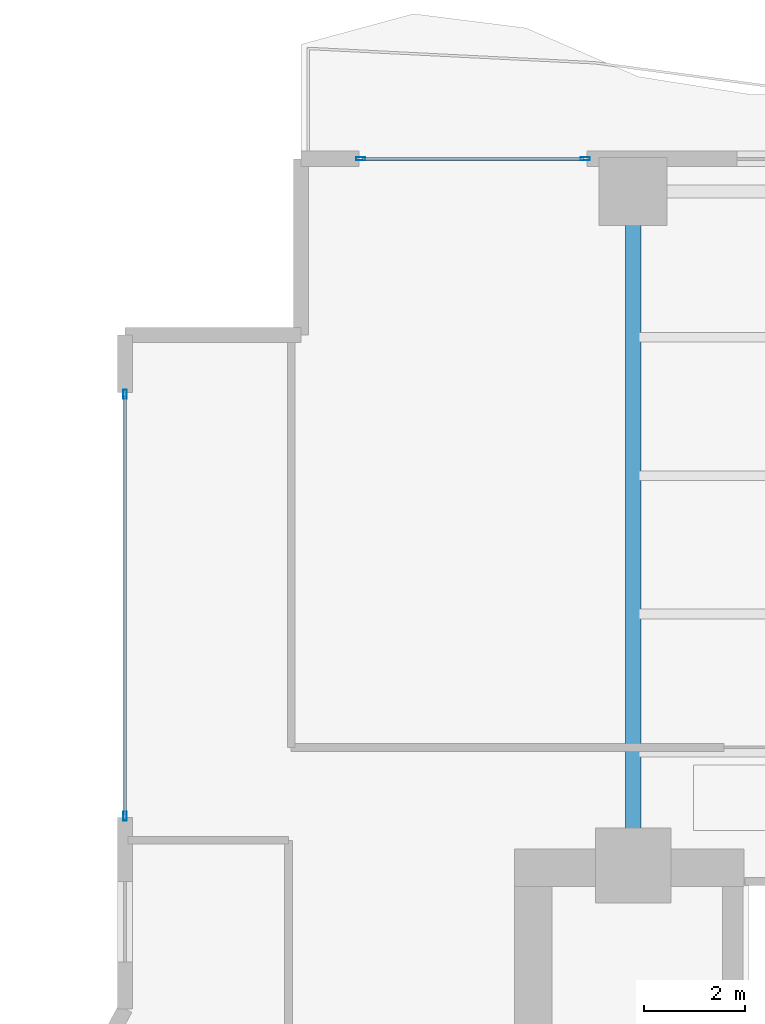
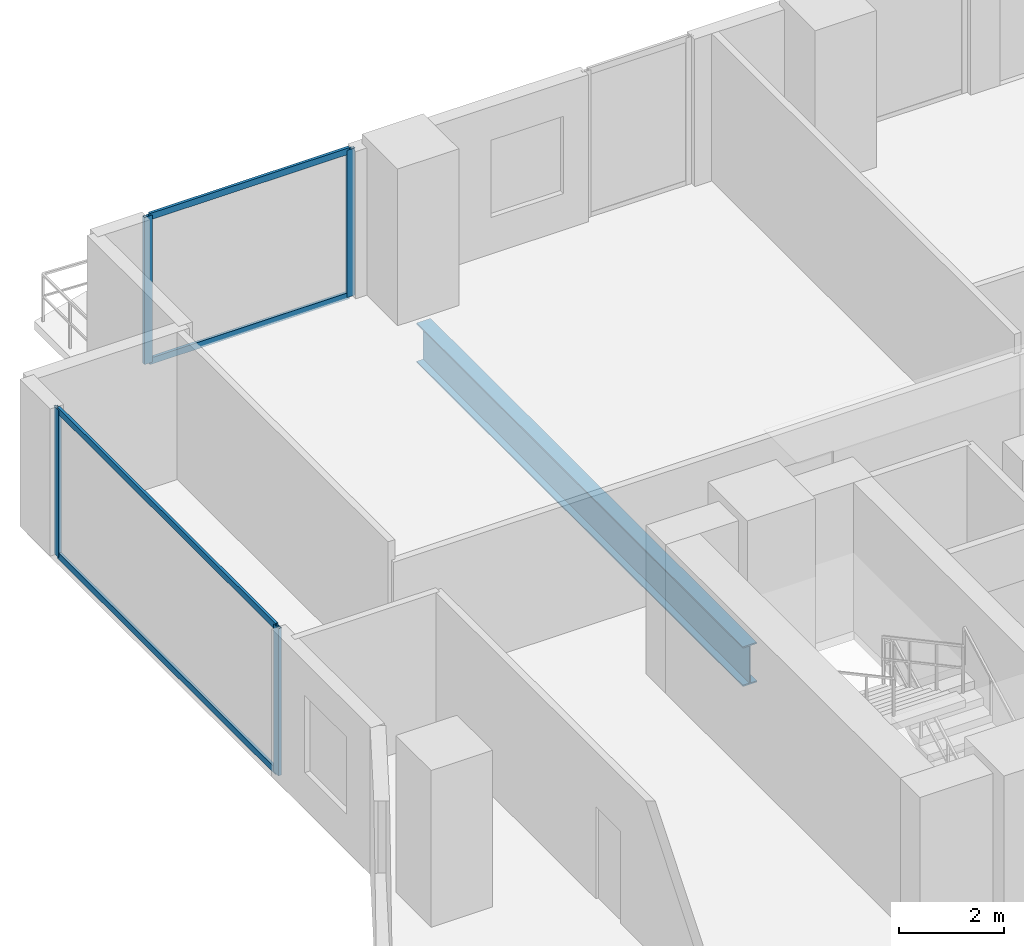
# One storey, part 14 of 28: 8 members, 1 beam, 2 elements without a shape of their own.
"""IFC4 building model written with IfcOpenShell, lengths in metres."""

from ifc_helpers import new_model, si_unit, direction, frame, origin, origin_2d, place, context, subcontext, project, spatial, hollow_rectangle, i_section, extrude, material, layer, layer_set, material_profile, profile_set, type_object, element, aggregate, save


model = new_model("IFC4")

# Units and contexts
model_context = context("Model", 3, precision=1e-05, world=origin(), true_north=direction((0.0, 1.0)))
body_context = subcontext(model_context, "Body", "Model", "MODEL_VIEW")
ifc_project = project(units=[si_unit("LENGTHUNIT", "METRE"), si_unit("AREAUNIT", "SQUARE_METRE"), si_unit("VOLUMEUNIT", "CUBIC_METRE"), si_unit("PLANEANGLEUNIT", "RADIAN"), si_unit("MASSUNIT", "GRAM", prefix="KILO")], contexts=[model_context])

# Site, building, storey
site_placement = place(None, origin())
site = spatial("IfcSite", under=ifc_project, at=site_placement, CompositionType="ELEMENT")
building_placement = place(site_placement, origin())
building = spatial("IfcBuilding", under=site, at=building_placement, Name="Zuhayl Quay Hotel", CompositionType="ELEMENT")
storey_placement = place(building_placement, frame((0.0, 0.0, 139.449951171875)))
storey = spatial("IfcBuildingStorey", under=building, at=storey_placement, Name="L35", CompositionType="ELEMENT", Elevation=139.449951171875)

# Beam
ifc_material_1 = material(Name="Steel ASTM A992 Grade 50", Category="steel")
ifc_material_profile_1 = material_profile(ifc_material_1, i_section(OverallWidth=0.306884765625, OverallDepth=0.927001953125, WebThickness=0.019287109375, FlangeThickness=0.031982421875, at=origin_2d()), Name="W36X194")
ifc_profile_set_1 = profile_set([ifc_material_profile_1], Name="Steel ASTM A992 Grade 50")
beam_type = type_object("IfcBeamType", Name="BM_PG2_W36X194", PredefinedType="BEAM", material=ifc_profile_set_1)
beam_placement = place(storey_placement, frame((-13.800048828125, 14.800048828125, -0.683349609375), z_axis=(0.0, 1.0, 0.0), x_axis=(-1.0, 0.0, 0.0)))
element("IfcBeam", 1, at=beam_placement, inside=storey, type_object=beam_type, Name="L35 Floor Beam FG_N_L35_1", PredefinedType="BEAM", context=body_context, shape_type="SweptSolid", body=[
    extrude(i_section(OverallWidth=0.306884765625, OverallDepth=0.927001953125, WebThickness=0.019287109375, FlangeThickness=0.031982421875, at=origin_2d()), origin(), (0.0, 0.0, 1.0), 12.449951171875),
])

# Curtain wall, members
ifc_material_2 = material(Name="Anodised Aluminium 6063-T6", Category="aluminium")
ifc_layer = layer(ifc_material_2, 0.179931640625, Name="Anodised Aluminium 6063-T6", Category="aluminium")
ifc_layer_set = layer_set([ifc_layer], Name="Anodised Aluminium 6063-T6")
curtain_wall_type = type_object("IfcCurtainWallType", Name="CW_SYS_Z2", PredefinedType="USERDEFINED", material=ifc_layer_set)
curtain_wall_1_placement = place(storey_placement, origin())
curtain_wall_1 = element("IfcCurtainWall", 2, at=curtain_wall_1_placement, inside=storey, type_object=curtain_wall_type, Name="L35 Curtain Wall ENV_L35_E05_CW1", ObjectType="UNITISED CURTAIN WALL", PredefinedType="USERDEFINED")
ifc_material_3 = material(Name="Black-anodised aluminium 6063-T6", Category="aluminium")
ifc_material_profile_2 = material_profile(ifc_material_3, hollow_rectangle(XDim=0.06494140625, YDim=0.179931640625, WallThickness=0.00341796875, at=origin_2d()), Name="ALU180X65")
ifc_profile_set_2 = profile_set([ifc_material_profile_2], Name="Black-anodised aluminium 6063-T6")
member_type_1 = type_object("IfcMemberType", Name="MB_CW_MUL_180", PredefinedType="MULLION", material=ifc_profile_set_2)
member_1_placement = place(storey_placement, frame((-23.89990234375, 15.33251953125, 0.0), z_axis=(0.0, 0.0, 1.0), x_axis=(-1.0, 0.0, 0.0)))
member_1 = element("IfcMember", 3, at=member_1_placement, type_object=member_type_1, Name="CW-Z2 mullion 1", PredefinedType="MULLION", context=body_context, shape_type="SweptSolid", body=[
    extrude(hollow_rectangle(XDim=0.06494140625, YDim=0.179931640625, WallThickness=0.00341796875, at=origin_2d()), origin(), (0.0, 0.0, 1.0), 3.429931640625),
])
member_2_placement = place(storey_placement, frame((-23.89990234375, 23.717529296875, 0.0), z_axis=(0.0, 0.0, 1.0), x_axis=(-1.0, 0.0, 0.0)))
member_2 = element("IfcMember", 4, at=member_2_placement, type_object=member_type_1, Name="CW-Z2 mullion 2", PredefinedType="MULLION", context=body_context, shape_type="SweptSolid", body=[
    extrude(hollow_rectangle(XDim=0.06494140625, YDim=0.179931640625, WallThickness=0.00341796875, at=origin_2d()), origin(), (0.0, 0.0, 1.0), 3.429931640625),
])

curtain_wall_2_placement = place(storey_placement, origin())
curtain_wall_2 = element("IfcCurtainWall", 5, at=curtain_wall_2_placement, inside=storey, type_object=curtain_wall_type, Name="L35 Curtain Wall ENV_L35_N_CW1", ObjectType="UNITISED CURTAIN WALL", PredefinedType="USERDEFINED")
member_3_placement = place(storey_placement, frame((-19.217529296875, 28.39990234375, 0.0), z_axis=(0.0, 0.0, 1.0), x_axis=(0.0, 1.0, 0.0)))
member_3 = element("IfcMember", 6, at=member_3_placement, type_object=member_type_1, Name="CW-Z2 mullion 1", PredefinedType="MULLION", context=body_context, shape_type="SweptSolid", body=[
    extrude(hollow_rectangle(XDim=0.06494140625, YDim=0.179931640625, WallThickness=0.00341796875, at=origin_2d()), origin(), (0.0, 0.0, 1.0), 3.429931640625),
])
member_4_placement = place(storey_placement, frame((-14.75244140625, 28.39990234375, 0.0), z_axis=(0.0, 0.0, 1.0), x_axis=(0.0, 1.0, 0.0)))
member_4 = element("IfcMember", 7, at=member_4_placement, type_object=member_type_1, Name="CW-Z2 mullion 2", PredefinedType="MULLION", context=body_context, shape_type="SweptSolid", body=[
    extrude(hollow_rectangle(XDim=0.06494140625, YDim=0.179931640625, WallThickness=0.00341796875, at=origin_2d()), origin(), (0.0, 0.0, 1.0), 3.429931640625),
])

# Member
ifc_material_profile_3 = material_profile(ifc_material_3, hollow_rectangle(XDim=0.06005859375, YDim=0.14990234375, WallThickness=0.00341796875, at=origin_2d()), Name="ALU150X60")
ifc_profile_set_3 = profile_set([ifc_material_profile_3], Name="Black-anodised aluminium 6063-T6")
member_type_2 = type_object("IfcMemberType", Name="MB_CW_TRN_150", PredefinedType="USERDEFINED", material=ifc_profile_set_3)
member_5_placement = place(storey_placement, frame((-23.89990234375, 15.364990234375, 0.030029296875), z_axis=(0.0, 1.0, 0.0), x_axis=(-1.0, 0.0, 0.0)))
member_5 = element("IfcMember", 8, at=member_5_placement, type_object=member_type_2, Name="CW-Z2 transom 1.1", ObjectType="TRANSOM", PredefinedType="USERDEFINED", context=body_context, shape_type="SweptSolid", body=[
    extrude(hollow_rectangle(XDim=0.06005859375, YDim=0.14990234375, WallThickness=0.00341796875, at=origin_2d()), origin(), (0.0, 0.0, 1.0), 8.320068359375),
])

member_6_placement = place(storey_placement, frame((-23.89990234375, 15.364990234375, 3.400146484375), z_axis=(0.0, 1.0, 0.0), x_axis=(-1.0, 0.0, 0.0)))
member_6 = element("IfcMember", 9, at=member_6_placement, type_object=member_type_2, Name="CW-Z2 transom 1.2", ObjectType="TRANSOM", PredefinedType="USERDEFINED", context=body_context, shape_type="SweptSolid", body=[
    extrude(hollow_rectangle(XDim=0.06005859375, YDim=0.14990234375, WallThickness=0.00341796875, at=origin_2d()), origin(), (0.0, 0.0, 1.0), 8.320068359375),
])

aggregate(curtain_wall_1, [member_1, member_2, member_5, member_6])

member_7_placement = place(storey_placement, frame((-19.18505859375, 28.39990234375, 0.030029296875), z_axis=(1.0, 0.0, 0.0), x_axis=(0.0, 1.0, 0.0)))
member_7 = element("IfcMember", 10, at=member_7_placement, type_object=member_type_2, Name="CW-Z2 transom 1.1", ObjectType="TRANSOM", PredefinedType="USERDEFINED", context=body_context, shape_type="SweptSolid", body=[
    extrude(hollow_rectangle(XDim=0.06005859375, YDim=0.14990234375, WallThickness=0.00341796875, at=origin_2d()), origin(), (0.0, 0.0, 1.0), 4.400146484375),
])

member_8_placement = place(storey_placement, frame((-19.18505859375, 28.39990234375, 3.400146484375), z_axis=(1.0, 0.0, 0.0), x_axis=(0.0, 1.0, 0.0)))
member_8 = element("IfcMember", 11, at=member_8_placement, type_object=member_type_2, Name="CW-Z2 transom 1.2", ObjectType="TRANSOM", PredefinedType="USERDEFINED", context=body_context, shape_type="SweptSolid", body=[
    extrude(hollow_rectangle(XDim=0.06005859375, YDim=0.14990234375, WallThickness=0.00341796875, at=origin_2d()), origin(), (0.0, 0.0, 1.0), 4.400146484375),
])

aggregate(curtain_wall_2, [member_3, member_4, member_7, member_8])

save(model, "model.ifc")
